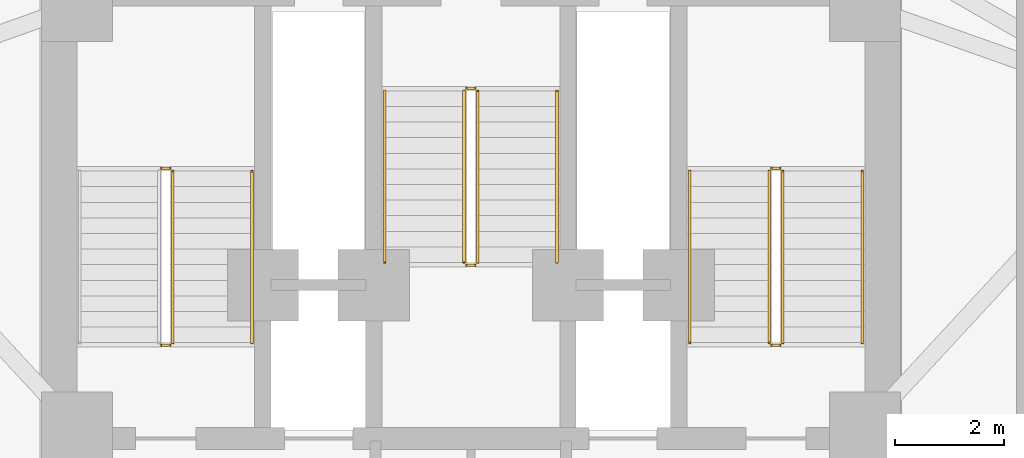
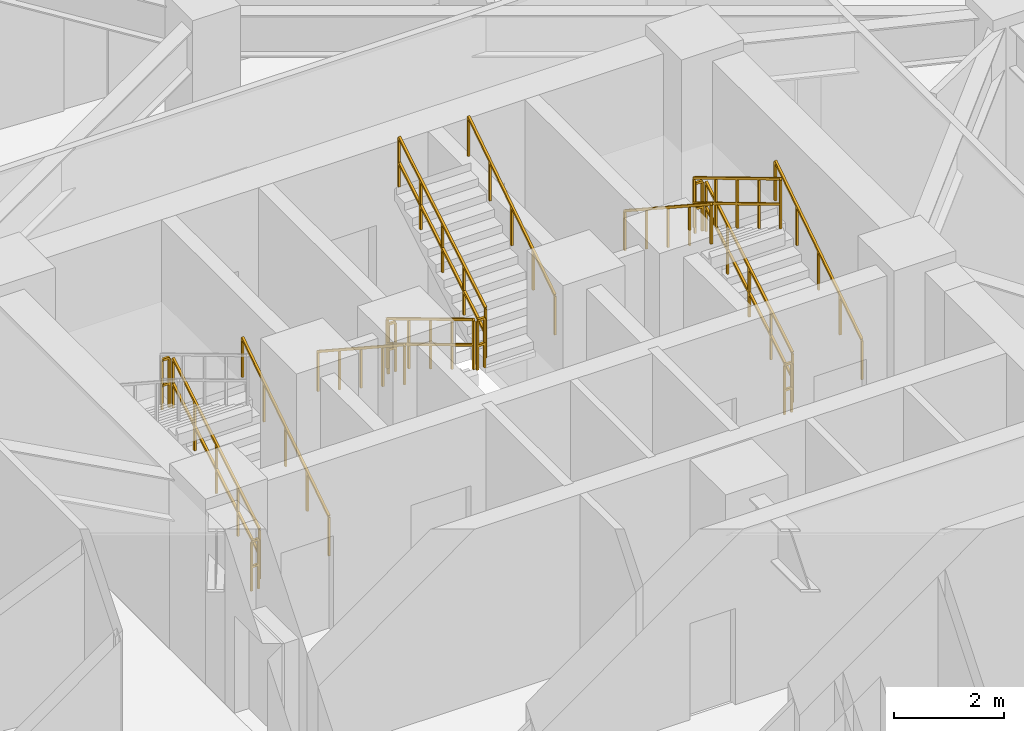
# One storey, part 11 of 11: 16 railings.
"""IFC4 building model written with IfcOpenShell, lengths in metres."""

from ifc_helpers import new_model, si_unit, direction, frame, origin, origin_2d, place, context, subcontext, project, spatial, rectangle, extrude, material, type_object, element, save


model = new_model("IFC4")

# Units and contexts
model_context = context("Model", 3, precision=1e-05, world=origin(), true_north=direction((0.0, 1.0)))
body_context = subcontext(model_context, "Body", "Model", "MODEL_VIEW")
ifc_project = project(units=[si_unit("LENGTHUNIT", "METRE"), si_unit("AREAUNIT", "SQUARE_METRE"), si_unit("VOLUMEUNIT", "CUBIC_METRE"), si_unit("PLANEANGLEUNIT", "RADIAN"), si_unit("MASSUNIT", "GRAM", prefix="KILO")], contexts=[model_context])

# Site, building, storey
site_placement = place(None, origin())
site = spatial("IfcSite", under=ifc_project, at=site_placement, CompositionType="ELEMENT")
building_placement = place(site_placement, origin())
building = spatial("IfcBuilding", under=site, at=building_placement, Name="Apsidion Concourse Tower", CompositionType="ELEMENT")
storey_placement = place(building_placement, frame((0.0, 0.0, 169.60009765625)))
storey = spatial("IfcBuildingStorey", under=building, at=storey_placement, Name="L39", CompositionType="ELEMENT", Elevation=169.60009765625)

# Railings
ifc_material = material(Name="Brushed stainless steel 316", Category="steel")
railing_type_1 = type_object("IfcRailingType", Name="RL-GUARD-1100", PredefinedType="GUARDRAIL", material=ifc_material)
railing_1_placement = place(storey_placement, frame((-5.449951171875, 3.0, 0.170654296875)))
element("IfcRailing", 1, at=railing_1_placement, inside=storey, type_object=railing_type_1, Name="L39 ST1 stair guard 1", PredefinedType="GUARDRAIL", context=body_context, shape_type="SweptSolid", body=[
    extrude(rectangle(XDim=0.048095703125, YDim=0.048095703125, at=origin_2d()), frame((0.0, 0.0, 1.09619140625), z_axis=(0.0, 0.857716804754, 0.514122439544), x_axis=(-1.0, 0.0, 0.0)), (0.0, 0.0, 1.0), 3.655029296875),
    extrude(rectangle(XDim=0.048095703125, YDim=0.048095703125, at=origin_2d()), frame((0.0, 0.0, 0.5361328125), z_axis=(0.0, 0.857716804754, 0.514122439544), x_axis=(-1.0, 0.0, 0.0)), (0.0, 0.0, 1.0), 3.655029296875),
    extrude(rectangle(XDim=0.0419921875, YDim=0.0419921875, at=origin_2d()), origin(), (0.0, 0.0, 1.0), 1.072021484375),
    extrude(rectangle(XDim=0.0419921875, YDim=0.0419921875, at=origin_2d()), frame((0.0, 0.78369140625, 0.4697265625)), (0.0, 0.0, 1.0), 1.072021484375),
    extrude(rectangle(XDim=0.0419921875, YDim=0.0419921875, at=origin_2d()), frame((0.0, 1.5673828125, 0.939453125)), (0.0, 0.0, 1.0), 1.072021484375),
    extrude(rectangle(XDim=0.0419921875, YDim=0.0419921875, at=origin_2d()), frame((0.0, 2.351318359375, 1.409423828125)), (0.0, 0.0, 1.0), 1.072021484375),
    extrude(rectangle(XDim=0.0419921875, YDim=0.0419921875, at=origin_2d()), frame((0.0, 3.135009765625, 1.879150390625)), (0.0, 0.0, 1.0), 1.072021484375),
])
for number, where, name in (
    (2, (-5.5, 6.18505859375, 2.0498046875), "L39 ST1 stair guard 2"),
    (3, (-5.5, 2.949951171875, 0.0), "L39 ST1 stair guard 4"),
):
    element("IfcRailing", number, at=place(storey_placement, frame(where)), inside=storey, type_object=railing_type_1, Name=name, PredefinedType="GUARDRAIL", context=body_context, shape_type="SweptSolid", body=[
        extrude(rectangle(XDim=0.048095703125, YDim=0.048095703125, at=origin_2d()), frame((0.0, 0.0, 1.09619140625), z_axis=(-1.0, 0.0, 0.0), x_axis=(0.0, -1.0, 0.0)), (0.0, 0.0, 1.0), 0.14990234375),
        extrude(rectangle(XDim=0.048095703125, YDim=0.048095703125, at=origin_2d()), frame((0.0, 0.0, 0.5361328125), z_axis=(-1.0, 0.0, 0.0), x_axis=(0.0, -1.0, 0.0)), (0.0, 0.0, 1.0), 0.14990234375),
        extrude(rectangle(XDim=0.0419921875, YDim=0.0419921875, at=origin_2d()), origin(), (0.0, 0.0, 1.0), 1.072021484375),
        extrude(rectangle(XDim=0.0419921875, YDim=0.0419921875, at=origin_2d()), frame((-0.14990234375, 0.0, 0.0)), (0.0, 0.0, 1.0), 1.072021484375),
    ])
railing_2_placement = place(storey_placement, frame((5.699951171875, 3.0, 0.170654296875)))
element("IfcRailing", 4, at=railing_2_placement, inside=storey, type_object=railing_type_1, Name="L39 ST2 stair guard 1", PredefinedType="GUARDRAIL", context=body_context, shape_type="SweptSolid", body=[
    extrude(rectangle(XDim=0.048095703125, YDim=0.048095703125, at=origin_2d()), frame((0.0, 0.0, 1.09619140625), z_axis=(0.0, 0.857716804754, 0.514122439544), x_axis=(-1.0, 0.0, 0.0)), (0.0, 0.0, 1.0), 3.655029296875),
    extrude(rectangle(XDim=0.048095703125, YDim=0.048095703125, at=origin_2d()), frame((0.0, 0.0, 0.5361328125), z_axis=(0.0, 0.857716804754, 0.514122439544), x_axis=(-1.0, 0.0, 0.0)), (0.0, 0.0, 1.0), 3.655029296875),
    extrude(rectangle(XDim=0.0419921875, YDim=0.0419921875, at=origin_2d()), origin(), (0.0, 0.0, 1.0), 1.072021484375),
    extrude(rectangle(XDim=0.0419921875, YDim=0.0419921875, at=origin_2d()), frame((0.0, 0.78369140625, 0.4697265625)), (0.0, 0.0, 1.0), 1.072021484375),
    extrude(rectangle(XDim=0.0419921875, YDim=0.0419921875, at=origin_2d()), frame((0.0, 1.5673828125, 0.939453125)), (0.0, 0.0, 1.0), 1.072021484375),
    extrude(rectangle(XDim=0.0419921875, YDim=0.0419921875, at=origin_2d()), frame((0.0, 2.351318359375, 1.409423828125)), (0.0, 0.0, 1.0), 1.072021484375),
    extrude(rectangle(XDim=0.0419921875, YDim=0.0419921875, at=origin_2d()), frame((0.0, 3.135009765625, 1.879150390625)), (0.0, 0.0, 1.0), 1.072021484375),
])
railing_3_placement = place(storey_placement, frame((5.64990234375, 6.18505859375, 2.0498046875)))
element("IfcRailing", 5, at=railing_3_placement, inside=storey, type_object=railing_type_1, Name="L39 ST2 stair guard 2", PredefinedType="GUARDRAIL", context=body_context, shape_type="SweptSolid", body=[
    extrude(rectangle(XDim=0.048095703125, YDim=0.048095703125, at=origin_2d()), frame((0.0, 0.0, 1.09619140625), z_axis=(-1.0, 0.0, 0.0), x_axis=(0.0, -1.0, 0.0)), (0.0, 0.0, 1.0), 0.14990234375),
    extrude(rectangle(XDim=0.048095703125, YDim=0.048095703125, at=origin_2d()), frame((0.0, 0.0, 0.5361328125), z_axis=(-1.0, 0.0, 0.0), x_axis=(0.0, -1.0, 0.0)), (0.0, 0.0, 1.0), 0.14990234375),
    extrude(rectangle(XDim=0.0419921875, YDim=0.0419921875, at=origin_2d()), origin(), (0.0, 0.0, 1.0), 1.072021484375),
    extrude(rectangle(XDim=0.0419921875, YDim=0.0419921875, at=origin_2d()), frame((-0.14990234375, 0.0, 0.0)), (0.0, 0.0, 1.0), 1.072021484375),
])
railing_4_placement = place(storey_placement, frame((5.449951171875, 6.135009765625, 2.220703125)))
element("IfcRailing", 6, at=railing_4_placement, inside=storey, type_object=railing_type_1, Name="L39 ST2 stair guard 3", PredefinedType="GUARDRAIL", context=body_context, shape_type="SweptSolid", body=[
    extrude(rectangle(XDim=0.048095703125, YDim=0.048095703125, at=origin_2d()), frame((0.0, 0.0, 1.09619140625), z_axis=(0.0, -0.857716804754, 0.514122439544), x_axis=(1.0, 0.0, 0.0)), (0.0, 0.0, 1.0), 3.655029296875),
    extrude(rectangle(XDim=0.048095703125, YDim=0.048095703125, at=origin_2d()), frame((0.0, 0.0, 0.5361328125), z_axis=(0.0, -0.857716804754, 0.514122439544), x_axis=(1.0, 0.0, 0.0)), (0.0, 0.0, 1.0), 3.655029296875),
    extrude(rectangle(XDim=0.0419921875, YDim=0.0419921875, at=origin_2d()), origin(), (0.0, 0.0, 1.0), 1.072021484375),
    extrude(rectangle(XDim=0.0419921875, YDim=0.0419921875, at=origin_2d()), frame((0.0, -0.78369140625, 0.4697265625)), (0.0, 0.0, 1.0), 1.072021484375),
    extrude(rectangle(XDim=0.0419921875, YDim=0.0419921875, at=origin_2d()), frame((0.0, -1.5673828125, 0.939453125)), (0.0, 0.0, 1.0), 1.072021484375),
    extrude(rectangle(XDim=0.0419921875, YDim=0.0419921875, at=origin_2d()), frame((0.0, -2.351318359375, 1.409423828125)), (0.0, 0.0, 1.0), 1.072021484375),
    extrude(rectangle(XDim=0.0419921875, YDim=0.0419921875, at=origin_2d()), frame((0.0, -3.135009765625, 1.879150390625)), (0.0, 0.0, 1.0), 1.072021484375),
])
railing_5_placement = place(storey_placement, frame((5.64990234375, 2.949951171875, 0.0)))
element("IfcRailing", 7, at=railing_5_placement, inside=storey, type_object=railing_type_1, Name="L39 ST2 stair guard 4", PredefinedType="GUARDRAIL", context=body_context, shape_type="SweptSolid", body=[
    extrude(rectangle(XDim=0.048095703125, YDim=0.048095703125, at=origin_2d()), frame((0.0, 0.0, 1.09619140625), z_axis=(-1.0, 0.0, 0.0), x_axis=(0.0, -1.0, 0.0)), (0.0, 0.0, 1.0), 0.14990234375),
    extrude(rectangle(XDim=0.048095703125, YDim=0.048095703125, at=origin_2d()), frame((0.0, 0.0, 0.5361328125), z_axis=(-1.0, 0.0, 0.0), x_axis=(0.0, -1.0, 0.0)), (0.0, 0.0, 1.0), 0.14990234375),
    extrude(rectangle(XDim=0.0419921875, YDim=0.0419921875, at=origin_2d()), origin(), (0.0, 0.0, 1.0), 1.072021484375),
    extrude(rectangle(XDim=0.0419921875, YDim=0.0419921875, at=origin_2d()), frame((-0.14990234375, 0.0, 0.0)), (0.0, 0.0, 1.0), 1.072021484375),
])
railing_6_placement = place(storey_placement, frame((-0.125, 7.60009765625, 0.170654296875)))
element("IfcRailing", 8, at=railing_6_placement, inside=storey, type_object=railing_type_1, Name="L39 ST3 stair guard 1", PredefinedType="GUARDRAIL", context=body_context, shape_type="SweptSolid", body=[
    extrude(rectangle(XDim=0.048095703125, YDim=0.048095703125, at=origin_2d()), frame((0.0, 0.0, 1.09619140625), z_axis=(0.0, -0.857716804754, 0.514122439544), x_axis=(1.0, 0.0, 0.0)), (0.0, 0.0, 1.0), 3.655029296875),
    extrude(rectangle(XDim=0.048095703125, YDim=0.048095703125, at=origin_2d()), frame((0.0, 0.0, 0.5361328125), z_axis=(0.0, -0.857716804754, 0.514122439544), x_axis=(1.0, 0.0, 0.0)), (0.0, 0.0, 1.0), 3.655029296875),
    extrude(rectangle(XDim=0.0419921875, YDim=0.0419921875, at=origin_2d()), origin(), (0.0, 0.0, 1.0), 1.072021484375),
    extrude(rectangle(XDim=0.0419921875, YDim=0.0419921875, at=origin_2d()), frame((0.0, -0.78369140625, 0.4697265625)), (0.0, 0.0, 1.0), 1.072021484375),
    extrude(rectangle(XDim=0.0419921875, YDim=0.0419921875, at=origin_2d()), frame((0.0, -1.5673828125, 0.939453125)), (0.0, 0.0, 1.0), 1.072021484375),
    extrude(rectangle(XDim=0.0419921875, YDim=0.0419921875, at=origin_2d()), frame((0.0, -2.351318359375, 1.409423828125)), (0.0, 0.0, 1.0), 1.072021484375),
    extrude(rectangle(XDim=0.0419921875, YDim=0.0419921875, at=origin_2d()), frame((0.0, -3.135009765625, 1.879150390625)), (0.0, 0.0, 1.0), 1.072021484375),
])
railing_7_placement = place(storey_placement, frame((-0.074951171875, 4.4150390625, 2.0498046875)))
element("IfcRailing", 9, at=railing_7_placement, inside=storey, type_object=railing_type_1, Name="L39 ST3 stair guard 2", PredefinedType="GUARDRAIL", context=body_context, shape_type="SweptSolid", body=[
    extrude(rectangle(XDim=0.048095703125, YDim=0.048095703125, at=origin_2d()), frame((0.0, 0.0, 1.09619140625), z_axis=(1.0, 0.0, 0.0), x_axis=(0.0, 1.0, 0.0)), (0.0, 0.0, 1.0), 0.14990234375),
    extrude(rectangle(XDim=0.048095703125, YDim=0.048095703125, at=origin_2d()), frame((0.0, 0.0, 0.5361328125), z_axis=(1.0, 0.0, 0.0), x_axis=(0.0, 1.0, 0.0)), (0.0, 0.0, 1.0), 0.14990234375),
    extrude(rectangle(XDim=0.0419921875, YDim=0.0419921875, at=origin_2d()), origin(), (0.0, 0.0, 1.0), 1.072021484375),
    extrude(rectangle(XDim=0.0419921875, YDim=0.0419921875, at=origin_2d()), frame((0.14990234375, 0.0, 0.0)), (0.0, 0.0, 1.0), 1.072021484375),
])
railing_8_placement = place(storey_placement, frame((0.125, 4.465087890625, 2.220703125)))
element("IfcRailing", 10, at=railing_8_placement, inside=storey, type_object=railing_type_1, Name="L39 ST3 stair guard 3", PredefinedType="GUARDRAIL", context=body_context, shape_type="SweptSolid", body=[
    extrude(rectangle(XDim=0.048095703125, YDim=0.048095703125, at=origin_2d()), frame((0.0, 0.0, 1.09619140625), z_axis=(0.0, 0.857716804754, 0.514122439544), x_axis=(-1.0, 0.0, 0.0)), (0.0, 0.0, 1.0), 3.655029296875),
    extrude(rectangle(XDim=0.048095703125, YDim=0.048095703125, at=origin_2d()), frame((0.0, 0.0, 0.5361328125), z_axis=(0.0, 0.857716804754, 0.514122439544), x_axis=(-1.0, 0.0, 0.0)), (0.0, 0.0, 1.0), 3.655029296875),
    extrude(rectangle(XDim=0.0419921875, YDim=0.0419921875, at=origin_2d()), origin(), (0.0, 0.0, 1.0), 1.072021484375),
    extrude(rectangle(XDim=0.0419921875, YDim=0.0419921875, at=origin_2d()), frame((0.0, 0.78369140625, 0.4697265625)), (0.0, 0.0, 1.0), 1.072021484375),
    extrude(rectangle(XDim=0.0419921875, YDim=0.0419921875, at=origin_2d()), frame((0.0, 1.5673828125, 0.939453125)), (0.0, 0.0, 1.0), 1.072021484375),
    extrude(rectangle(XDim=0.0419921875, YDim=0.0419921875, at=origin_2d()), frame((0.0, 2.351318359375, 1.409423828125)), (0.0, 0.0, 1.0), 1.072021484375),
    extrude(rectangle(XDim=0.0419921875, YDim=0.0419921875, at=origin_2d()), frame((0.0, 3.135009765625, 1.879150390625)), (0.0, 0.0, 1.0), 1.072021484375),
])
railing_9_placement = place(storey_placement, frame((-0.074951171875, 7.64990234375, 0.0)))
element("IfcRailing", 11, at=railing_9_placement, inside=storey, type_object=railing_type_1, Name="L39 ST3 stair guard 4", PredefinedType="GUARDRAIL", context=body_context, shape_type="SweptSolid", body=[
    extrude(rectangle(XDim=0.048095703125, YDim=0.048095703125, at=origin_2d()), frame((0.0, 0.0, 1.09619140625), z_axis=(1.0, 0.0, 0.0), x_axis=(0.0, 1.0, 0.0)), (0.0, 0.0, 1.0), 0.14990234375),
    extrude(rectangle(XDim=0.048095703125, YDim=0.048095703125, at=origin_2d()), frame((0.0, 0.0, 0.5361328125), z_axis=(1.0, 0.0, 0.0), x_axis=(0.0, 1.0, 0.0)), (0.0, 0.0, 1.0), 0.14990234375),
    extrude(rectangle(XDim=0.0419921875, YDim=0.0419921875, at=origin_2d()), origin(), (0.0, 0.0, 1.0), 1.072021484375),
    extrude(rectangle(XDim=0.0419921875, YDim=0.0419921875, at=origin_2d()), frame((0.14990234375, 0.0, 0.0)), (0.0, 0.0, 1.0), 1.072021484375),
])
railing_type_2 = type_object("IfcRailingType", Name="RL-HAND-900", PredefinedType="HANDRAIL", material=ifc_material)
for number, where, name in (
    (12, (-4.0, 3.0, 0.170654296875), "L39 ST1 stair handrail 1"),
    (13, (7.14990234375, 3.0, 0.170654296875), "L39 ST2 stair handrail 1"),
):
    element("IfcRailing", number, at=place(storey_placement, frame(where)), inside=storey, type_object=railing_type_2, Name=name, PredefinedType="HANDRAIL", context=body_context, shape_type="SweptSolid", body=[
        extrude(rectangle(XDim=0.048095703125, YDim=0.048095703125, at=origin_2d()), frame((0.0, 0.0, 0.8759765625), z_axis=(0.0, 0.836940907821, 0.547293263996), x_axis=(-1.0, 0.0, 0.0)), (0.0, 0.0, 1.0), 3.745849609375),
        extrude(rectangle(XDim=0.0419921875, YDim=0.0419921875, at=origin_2d()), origin(), (0.0, 0.0, 1.0), 0.851806640625),
        extrude(rectangle(XDim=0.0419921875, YDim=0.0419921875, at=origin_2d()), frame((0.0, 0.78369140625, 0.512451171875)), (0.0, 0.0, 1.0), 0.851806640625),
        extrude(rectangle(XDim=0.0419921875, YDim=0.0419921875, at=origin_2d()), frame((0.0, 1.5673828125, 1.02490234375)), (0.0, 0.0, 1.0), 0.851806640625),
        extrude(rectangle(XDim=0.0419921875, YDim=0.0419921875, at=origin_2d()), frame((0.0, 2.351318359375, 1.53759765625)), (0.0, 0.0, 1.0), 0.851806640625),
        extrude(rectangle(XDim=0.0419921875, YDim=0.0419921875, at=origin_2d()), frame((0.0, 3.135009765625, 2.050048828125)), (0.0, 0.0, 1.0), 0.851806640625),
    ])
for number, where, name in (
    (14, (4.0, 6.135009765625, 2.220703125), "L39 ST2 stair handrail 2"),
    (15, (-1.574951171875, 7.60009765625, 0.170654296875), "L39 ST3 stair handrail 1"),
):
    element("IfcRailing", number, at=place(storey_placement, frame(where)), inside=storey, type_object=railing_type_2, Name=name, PredefinedType="HANDRAIL", context=body_context, shape_type="SweptSolid", body=[
        extrude(rectangle(XDim=0.048095703125, YDim=0.048095703125, at=origin_2d()), frame((0.0, 0.0, 0.8759765625), z_axis=(0.0, -0.836940907821, 0.547293263996), x_axis=(1.0, 0.0, 0.0)), (0.0, 0.0, 1.0), 3.745849609375),
        extrude(rectangle(XDim=0.0419921875, YDim=0.0419921875, at=origin_2d()), origin(), (0.0, 0.0, 1.0), 0.851806640625),
        extrude(rectangle(XDim=0.0419921875, YDim=0.0419921875, at=origin_2d()), frame((0.0, -0.78369140625, 0.512451171875)), (0.0, 0.0, 1.0), 0.851806640625),
        extrude(rectangle(XDim=0.0419921875, YDim=0.0419921875, at=origin_2d()), frame((0.0, -1.5673828125, 1.02490234375)), (0.0, 0.0, 1.0), 0.851806640625),
        extrude(rectangle(XDim=0.0419921875, YDim=0.0419921875, at=origin_2d()), frame((0.0, -2.351318359375, 1.53759765625)), (0.0, 0.0, 1.0), 0.851806640625),
        extrude(rectangle(XDim=0.0419921875, YDim=0.0419921875, at=origin_2d()), frame((0.0, -3.135009765625, 2.050048828125)), (0.0, 0.0, 1.0), 0.851806640625),
    ])
railing_10_placement = place(storey_placement, frame((1.574951171875, 4.465087890625, 2.220703125)))
element("IfcRailing", 16, at=railing_10_placement, inside=storey, type_object=railing_type_2, Name="L39 ST3 stair handrail 2", PredefinedType="HANDRAIL", context=body_context, shape_type="SweptSolid", body=[
    extrude(rectangle(XDim=0.048095703125, YDim=0.048095703125, at=origin_2d()), frame((0.0, 0.0, 0.8759765625), z_axis=(0.0, 0.836940907821, 0.547293263996), x_axis=(-1.0, 0.0, 0.0)), (0.0, 0.0, 1.0), 3.745849609375),
    extrude(rectangle(XDim=0.0419921875, YDim=0.0419921875, at=origin_2d()), origin(), (0.0, 0.0, 1.0), 0.851806640625),
    extrude(rectangle(XDim=0.0419921875, YDim=0.0419921875, at=origin_2d()), frame((0.0, 0.78369140625, 0.512451171875)), (0.0, 0.0, 1.0), 0.851806640625),
    extrude(rectangle(XDim=0.0419921875, YDim=0.0419921875, at=origin_2d()), frame((0.0, 1.5673828125, 1.02490234375)), (0.0, 0.0, 1.0), 0.851806640625),
    extrude(rectangle(XDim=0.0419921875, YDim=0.0419921875, at=origin_2d()), frame((0.0, 2.351318359375, 1.53759765625)), (0.0, 0.0, 1.0), 0.851806640625),
    extrude(rectangle(XDim=0.0419921875, YDim=0.0419921875, at=origin_2d()), frame((0.0, 3.135009765625, 2.050048828125)), (0.0, 0.0, 1.0), 0.851806640625),
])

save(model, "model.ifc")
